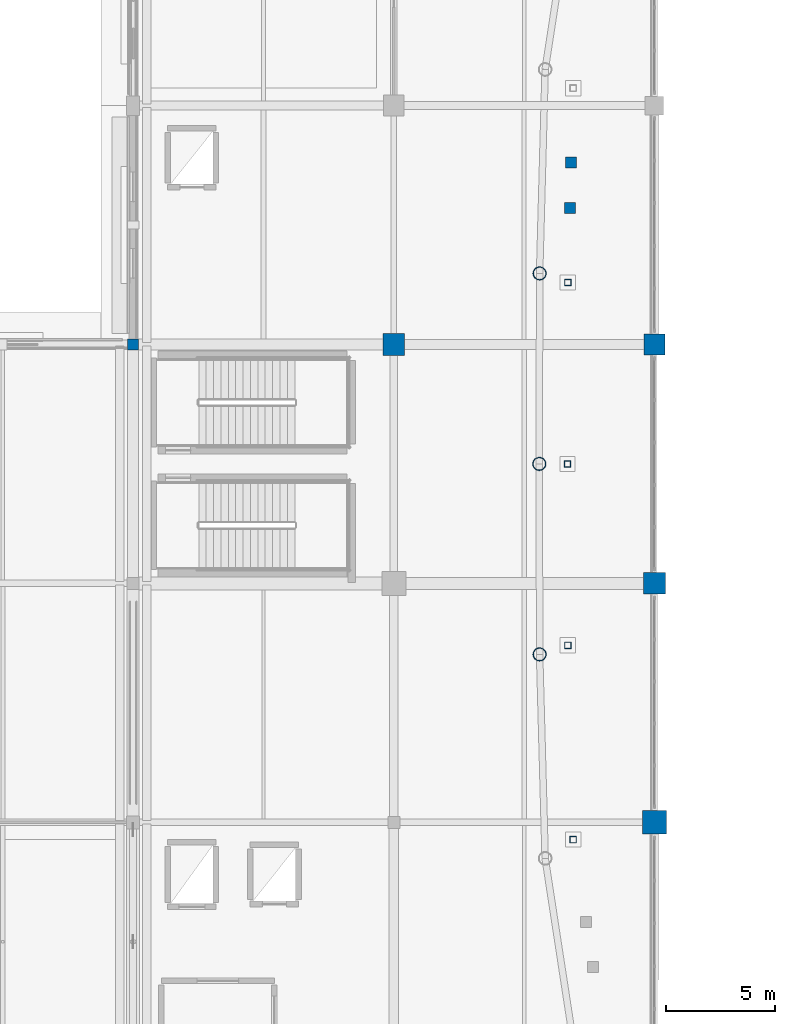
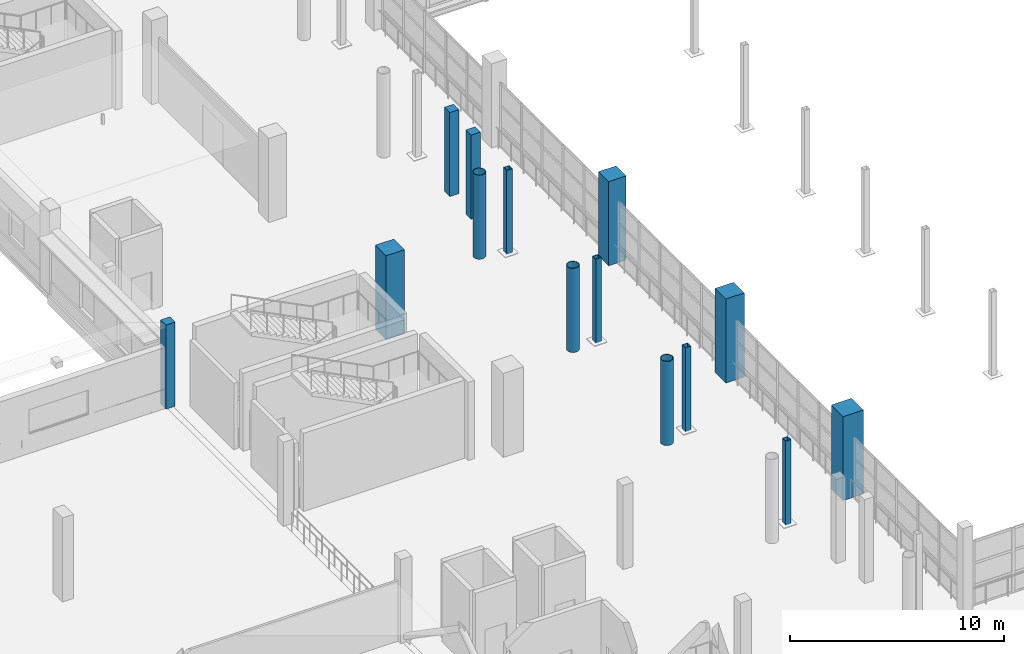
# One storey, part 4 of 143: 14 columns.
"""IFC4 building model written with IfcOpenShell, lengths in metres."""

import ifcopenshell
import ifcopenshell.guid

model = None  # the IFC model being written
_history = None  # IfcOwnerHistory: only IFC2X3 demands one
_inside = {}  # id of a spatial element -> (the spatial element, [elements in it])
_under = {}  # id of a project, library or spatial element -> (it, [spatial elements below it])
_declared = {}  # id of a project -> (the project, [libraries it declares])
_typed = {}  # id of a type object -> (the type object, [elements of that type])
_made_of = {}  # id of a material, layer set ... -> (it, [elements and type objects made of it])


def new_model(schema):
    """Start an empty IFC model of exactly this schema.

    Asked for "IFC4X3", IfcOpenShell would pick the latest addendum, in which some entities
    have other attributes; the version numbers below select the first issue.
    IFC2X3 requires an IfcOwnerHistory on every rooted entity: one is made here for all.
    """
    global model, _history
    if schema == "IFC4X3":
        model = ifcopenshell.file(schema_version=(4, 3, 0, 0))
    else:
        model = ifcopenshell.file(schema=schema)
    _inside.clear()
    _under.clear()
    _declared.clear()
    _typed.clear()
    _made_of.clear()
    _history = None
    if model.schema == "IFC2X3":
        org = make("IfcOrganization", Name="unknown")
        user = make(
            "IfcPersonAndOrganization",
            ThePerson=make("IfcPerson", FamilyName="unknown"),
            TheOrganization=org,
        )
        app = make(
            "IfcApplication",
            ApplicationDeveloper=org,
            Version="unknown",
            ApplicationFullName="unknown",
            ApplicationIdentifier="unknown",
        )
        _history = make(
            "IfcOwnerHistory",
            OwningUser=user,
            OwningApplication=app,
            ChangeAction="ADDED",
            CreationDate=0,
        )
    return model


def make(cls, **values):
    """One entity of the class cls with the attributes given. An attribute that is None is left unset."""
    return model.create_entity(
        cls, **{name: value for name, value in values.items() if value is not None}
    )


def rooted(cls, **values):
    """An entity with a GlobalId (a new one), such as an element, a storey or a relation."""
    return make(cls, GlobalId=ifcopenshell.guid.new(), OwnerHistory=_history, **values)


def si_unit(unit_type, name, prefix=None):
    """IfcSIUnit, for example si_unit("LENGTHUNIT", "METRE", prefix="MILLI")."""
    return make("IfcSIUnit", UnitType=unit_type, Prefix=prefix, Name=name)


def assignment(units):
    """IfcUnitAssignment: the units of a project."""
    return None if units is None else make("IfcUnitAssignment", Units=units)


def point(xyz):
    """IfcCartesianPoint."""
    return None if xyz is None else make("IfcCartesianPoint", Coordinates=xyz)


def direction(xyz):
    """IfcDirection."""
    return None if xyz is None else make("IfcDirection", DirectionRatios=xyz)


def frame(location, z_axis=None, x_axis=None):
    """IfcAxis2Placement3D, a coordinate frame: its origin and axes. An axis left out is left unset."""
    return make(
        "IfcAxis2Placement3D",
        Location=point(location),
        Axis=direction(z_axis),
        RefDirection=direction(x_axis),
    )


def frame_2d(location, x_axis=None):
    """IfcAxis2Placement2D, a coordinate frame in the plane: its origin and x axis."""
    return make(
        "IfcAxis2Placement2D", Location=point(location), RefDirection=direction(x_axis)
    )


def origin():
    """The frame at (0, 0, 0) with its axes left unset."""
    return frame((0.0, 0.0, 0.0))


def origin_2d():
    """The frame at (0, 0) in the plane with its x axis left unset."""
    return frame_2d((0.0, 0.0))


def place(relative_to, where):
    """IfcLocalPlacement: puts the frame where relative to a parent placement (None: the world)."""
    return make(
        "IfcLocalPlacement", PlacementRelTo=relative_to, RelativePlacement=where
    )


def context(
    kind, dimensions, precision=None, world=None, true_north=None, identifier=None
):
    """IfcGeometricRepresentationContext, for example the 3D "Model" context."""
    return make(
        "IfcGeometricRepresentationContext",
        ContextIdentifier=identifier,
        ContextType=kind,
        CoordinateSpaceDimension=dimensions,
        Precision=precision,
        WorldCoordinateSystem=world,
        TrueNorth=true_north,
    )


def subcontext(parent, identifier, kind, view, scale=None):
    """IfcGeometricRepresentationSubContext, for example "Body" below "Model"."""
    return make(
        "IfcGeometricRepresentationSubContext",
        ContextIdentifier=identifier,
        ContextType=kind,
        ParentContext=parent,
        TargetScale=scale,
        TargetView=view,
    )


def project(units=None, contexts=None):
    """IfcProject with its units and contexts."""
    return rooted(
        "IfcProject",
        Name="project",
        RepresentationContexts=contexts,
        UnitsInContext=assignment(units),
    )


def spatial(cls, under=None, at=None, **own):
    """A site, building, storey or space (cls), placed at a placement, below another one or the project."""
    s = rooted(cls, ObjectPlacement=at, **own)
    if under is not None:
        _under.setdefault(under.id(), (under, []))[1].append(s)
    return s


def profile(cls, at=None, kind="AREA", **sizes):
    """A parametric profile (cls). Its sizes go by their IFC names, for example OverallWidth=200.0."""
    return make(cls, ProfileType=kind, Position=at, **sizes)


def rectangle(**sizes):
    """IfcRectangleProfileDef."""
    return profile("IfcRectangleProfileDef", **sizes)


def hollow_rectangle(**sizes):
    """IfcRectangleHollowProfileDef."""
    return profile("IfcRectangleHollowProfileDef", **sizes)


def hollow_circle(**sizes):
    """IfcCircleHollowProfileDef."""
    return profile("IfcCircleHollowProfileDef", **sizes)


def extrude(swept, where, along, depth):
    """IfcExtrudedAreaSolid: the profile swept, set in the frame where, extruded along a direction by depth."""
    return make(
        "IfcExtrudedAreaSolid",
        SweptArea=swept,
        Position=where,
        ExtrudedDirection=direction(along),
        Depth=depth,
    )


def shape(context_of_items, identifier, shape_type, items):
    """IfcShapeRepresentation: the items that make up one representation, for example the "Body"."""
    return make(
        "IfcShapeRepresentation",
        ContextOfItems=context_of_items,
        RepresentationIdentifier=identifier,
        RepresentationType=shape_type,
        Items=items,
    )


def material(Name=None, Category=None):
    """IfcMaterial."""
    return make("IfcMaterial", Name=Name, Category=Category)


def material_profile(
    of_material, cross_section, Name=None, Category=None, Priority=None
):
    """IfcMaterialProfile: a cross section and its material."""
    return make(
        "IfcMaterialProfile",
        Name=Name,
        Material=of_material,
        Profile=cross_section,
        Priority=Priority,
        Category=Category,
    )


def profile_set(profiles, Name=None, composite=None):
    """IfcMaterialProfileSet."""
    return make(
        "IfcMaterialProfileSet",
        Name=Name,
        MaterialProfiles=profiles,
        CompositeProfile=composite,
    )


def made_of(thing, what):
    """Note that an element or type object is made of a material, layer set ...; save() writes the relation."""
    if what is not None:
        _made_of.setdefault(what.id(), (what, []))[1].append(thing)
    return thing


def type_object(cls, material=None, **own):
    """A type object (cls), such as IfcWallType, which elements share."""
    return made_of(rooted(cls, **own), material)


def element(
    cls,
    number,
    at=None,
    inside=None,
    cuts=None,
    type_object=None,
    material=None,
    context=None,
    identifier="Body",
    shape_type=None,
    held_by="IfcProductDefinitionShape",
    body=None,
    shapes=None,
    **own,
):
    """One element of the class cls, such as IfcWall. Its Tag is "e" and its number.

    at: its placement. inside: the storey or other place that contains it. cuts: it is an
    opening in that element (IfcRelVoidsElement). A single representation is given by context,
    identifier, shape_type and body (its items); several are given by shapes. held_by: the class
    of the entity that holds the representations. save() writes the other relations.
    """
    e = rooted(cls, Tag="e%d" % number, ObjectPlacement=at, **own)
    if body is not None:
        shapes = [shape(context, identifier, shape_type, body)]
    if shapes is not None:
        e.Representation = make(held_by, Representations=shapes)
    if inside is not None:
        _inside.setdefault(inside.id(), (inside, []))[1].append(e)
    if cuts is not None:
        rooted(
            "IfcRelVoidsElement", RelatingBuildingElement=cuts, RelatedOpeningElement=e
        )
    if type_object is not None:
        _typed.setdefault(type_object.id(), (type_object, []))[1].append(e)
    return made_of(e, material)


def aggregate(whole, parts):
    """IfcRelAggregates: a whole, such as a stair, and the parts it consists of."""
    return rooted("IfcRelAggregates", RelatingObject=whole, RelatedObjects=parts)


def save(model, path):
    """Write the relations noted so far, then the file.

    IfcRelAggregates (storeys below a building ...), IfcRelContainedInSpatialStructure (elements
    in a storey), IfcRelDefinesByType, IfcRelAssociatesMaterial and IfcRelDeclares: one each for
    every whole, place, type object, material and project.
    """
    for whole, parts in _under.values():
        aggregate(whole, parts)
    for where, things in _inside.values():
        rooted(
            "IfcRelContainedInSpatialStructure",
            RelatedElements=things,
            RelatingStructure=where,
        )
    for kind, things in _typed.values():
        rooted("IfcRelDefinesByType", RelatedObjects=things, RelatingType=kind)
    for what, things in _made_of.values():
        rooted("IfcRelAssociatesMaterial", RelatedObjects=things, RelatingMaterial=what)
    for by, libraries in _declared.values():
        rooted("IfcRelDeclares", RelatingContext=by, RelatedDefinitions=libraries)
    model.write(path)


model = new_model("IFC4")

# Units and contexts
model_context = context("Model", 3, precision=1e-05, world=origin(), true_north=direction((0.0, 1.0)))
body_context = subcontext(model_context, "Body", "Model", "MODEL_VIEW")
ifc_project = project(units=[si_unit("LENGTHUNIT", "METRE"), si_unit("AREAUNIT", "SQUARE_METRE"), si_unit("VOLUMEUNIT", "CUBIC_METRE"), si_unit("PLANEANGLEUNIT", "RADIAN"), si_unit("MASSUNIT", "GRAM", prefix="KILO")], contexts=[model_context])

# Site, building, storey
site_placement = place(None, origin())
site = spatial("IfcSite", under=ifc_project, at=site_placement, CompositionType="ELEMENT")
building_placement = place(site_placement, origin())
building = spatial("IfcBuilding", under=site, at=building_placement, Name="Luwafu Chhajja Arena", CompositionType="ELEMENT")
storey_placement = place(building_placement, frame((0.0, 0.0, 5.39990234375)))
storey = spatial("IfcBuildingStorey", under=building, at=storey_placement, Name="L01", CompositionType="ELEMENT", Elevation=5.39990234375)

# Columns
ifc_material_1 = material(Name="Concrete C40/50", Category="concrete")
ifc_material_profile_1 = material_profile(ifc_material_1, rectangle(XDim=1.0, YDim=1.0, at=origin_2d()), Name="RC 1000x1000")
ifc_profile_set_1 = profile_set([ifc_material_profile_1], Name="Concrete C40/50")
column_type_1 = type_object("IfcColumnType", Name="Bowl Primary Column RC 1000", PredefinedType="COLUMN", material=ifc_profile_set_1)
for number, where, z_axis, x_axis, name in (
    (1, (46.0, 55.0, 0.0), (0.0, 0.0, 1.0), (1.0, 0.0, 0.0), "L01 Grid Column 5/F"),
    (2, (58.0, 44.0, 0.0), (0.0, 0.0, 1.0), (1.0, 0.0, 0.0), "L01 Grid Column 6/E"),
):
    element("IfcColumn", number, at=place(storey_placement, frame(where, z_axis=z_axis, x_axis=x_axis)), inside=storey, type_object=column_type_1, Name=name, PredefinedType="COLUMN", context=body_context, shape_type="SweptSolid", body=[
        extrude(rectangle(XDim=1.0, YDim=1.0, at=origin_2d()), origin(), (0.0, 0.0, 1.0), 4.800048828125),
    ])
ifc_material_profile_2 = material_profile(ifc_material_1, rectangle(XDim=0.949951171875, YDim=0.949951171875, at=origin_2d()), Name="RC 950x950")
ifc_profile_set_2 = profile_set([ifc_material_profile_2], Name="Concrete C40/50")
column_type_2 = type_object("IfcColumnType", Name="Bowl Raker Support Column RC 950", PredefinedType="COLUMN", material=ifc_profile_set_2)
column_1_placement = place(storey_placement, frame((58.0, 55.0, 0.0), z_axis=(0.0, 0.0, 1.0), x_axis=(1.0, 0.0, 0.0)))
element("IfcColumn", 3, at=column_1_placement, inside=storey, type_object=column_type_2, Name="L01 Grid Column 6/F", PredefinedType="COLUMN", context=body_context, shape_type="SweptSolid", body=[
    extrude(rectangle(XDim=0.949951171875, YDim=0.949951171875, at=origin_2d()), origin(), (0.0, 0.0, 1.0), 4.800048828125),
])
ifc_material_profile_3 = material_profile(ifc_material_1, rectangle(XDim=1.10009765625, YDim=1.10009765625, at=origin_2d()), Name="RC 1100x1100")
ifc_profile_set_3 = profile_set([ifc_material_profile_3], Name="Concrete C40/50")
column_type_3 = type_object("IfcColumnType", Name="Bowl Rim Mega Column RC 1100", PredefinedType="COLUMN", material=ifc_profile_set_3)
column_2_placement = place(storey_placement, frame((58.0, 33.0, 0.0), z_axis=(0.0, 0.0, 1.0), x_axis=(1.0, 0.0, 0.0)))
element("IfcColumn", 4, at=column_2_placement, inside=storey, type_object=column_type_3, Name="L01 Grid Column 6/D", PredefinedType="COLUMN", context=body_context, shape_type="SweptSolid", body=[
    extrude(rectangle(XDim=1.10009765625, YDim=1.10009765625, at=origin_2d()), origin(), (0.0, 0.0, 1.0), 4.800048828125),
])
ifc_material_2 = material(Name="Concrete C35/45", Category="concrete")
ifc_material_profile_4 = material_profile(ifc_material_2, rectangle(XDim=0.5, YDim=0.5, at=origin_2d()), Name="RC 500x500")
ifc_profile_set_4 = profile_set([ifc_material_profile_4], Name="Concrete C35/45")
column_type_4 = type_object("IfcColumnType", Name="Pavilion Column RC 500", PredefinedType="COLUMN", material=ifc_profile_set_4)
for number, where, z_axis, x_axis, name in (
    (5, (34.0, 55.0, 0.0), (0.0, 0.0, 1.0), (1.0, 0.0, 0.0), "L01 Grid Column 4/F"),
    (6, (54.165283203125, 63.373779296875, 0.0), (0.0, 0.0, 1.0), (1.0, 0.0, 0.0), "L01 Vomitory Stack Column VU15A"),
    (7, (54.107177734375, 61.274658203125, 0.0), (0.0, 0.0, 1.0), (1.0, 0.0, 0.0), "L01 Vomitory Stack Column VU15B"),
):
    element("IfcColumn", number, at=place(storey_placement, frame(where, z_axis=z_axis, x_axis=x_axis)), inside=storey, type_object=column_type_4, Name=name, PredefinedType="COLUMN", context=body_context, shape_type="SweptSolid", body=[
        extrude(rectangle(XDim=0.5, YDim=0.5, at=origin_2d()), origin(), (0.0, 0.0, 1.0), 4.800048828125),
    ])
ifc_material_3 = material(Name="Steel S355", Category="steel")
ifc_material_profile_5 = material_profile(ifc_material_3, hollow_circle(Radius=0.304931640625, WallThickness=0.02490234375, at=origin_2d()), Name="CHS 610x25")
ifc_profile_set_5 = profile_set([ifc_material_profile_5], Name="Steel S355")
column_type_5 = type_object("IfcColumnType", Name="Steel Bowl Drum Column CHS 610", PredefinedType="COLUMN", material=ifc_profile_set_5)
for number, where, z_axis, x_axis, name in (
    (8, (52.71240234375, 58.269775390625, 0.0), (0.0, 0.0, 1.0), (1.0, 0.0, 0.0), "L01 Bowl Drum Column D16"),
    (9, (52.699951171875, 49.5, 0.0), (0.0, 0.0, 1.0), (1.0, 0.0, 0.0), "L01 Bowl Drum Column D17"),
    (10, (52.71240234375, 40.730224609375, 0.0), (0.0, 0.0, 1.0), (1.0, 0.0, 0.0), "L01 Bowl Drum Column D18"),
):
    element("IfcColumn", number, at=place(storey_placement, frame(where, z_axis=z_axis, x_axis=x_axis)), inside=storey, type_object=column_type_5, Name=name, PredefinedType="COLUMN", context=body_context, shape_type="SweptSolid", body=[
        extrude(hollow_circle(Radius=0.304931640625, WallThickness=0.02490234375, at=origin_2d()), origin(), (0.0, 0.0, 1.0), 4.800048828125),
    ])
ifc_material_profile_6 = material_profile(ifc_material_3, hollow_rectangle(XDim=0.300048828125, YDim=0.300048828125, WallThickness=0.01611328125, at=origin_2d()), Name="SHS 300x300x16")
ifc_profile_set_6 = profile_set([ifc_material_profile_6], Name="Steel S355")
column_type_6 = type_object("IfcColumnType", Name="Steel Gallery Post SHS 300", PredefinedType="COLUMN", material=ifc_profile_set_6)
for number, where, z_axis, x_axis, name in (
    (11, (54.01220703125, 57.85205078125, 0.0), (0.0, 0.0, 1.0), (1.0, 0.0, 0.0), "L01 Upper Bowl Raker Column UO16"),
    (12, (54.0, 49.5, 0.0), (0.0, 0.0, 1.0), (1.0, 0.0, 0.0), "L01 Upper Bowl Raker Column UO17"),
    (13, (54.01220703125, 41.14794921875, 0.0), (0.0, 0.0, 1.0), (1.0, 0.0, 0.0), "L01 Upper Bowl Raker Column UO18"),
    (14, (54.260498046875, 32.20361328125, 0.0), (0.0, 0.0, 1.0), (1.0, 0.0, 0.0), "L01 Upper Bowl Raker Column UO19"),
):
    element("IfcColumn", number, at=place(storey_placement, frame(where, z_axis=z_axis, x_axis=x_axis)), inside=storey, type_object=column_type_6, Name=name, PredefinedType="COLUMN", context=body_context, shape_type="SweptSolid", body=[
        extrude(hollow_rectangle(XDim=0.300048828125, YDim=0.300048828125, WallThickness=0.01611328125, at=origin_2d()), origin(), (0.0, 0.0, 1.0), 4.800048828125),
    ])

save(model, "model.ifc")
